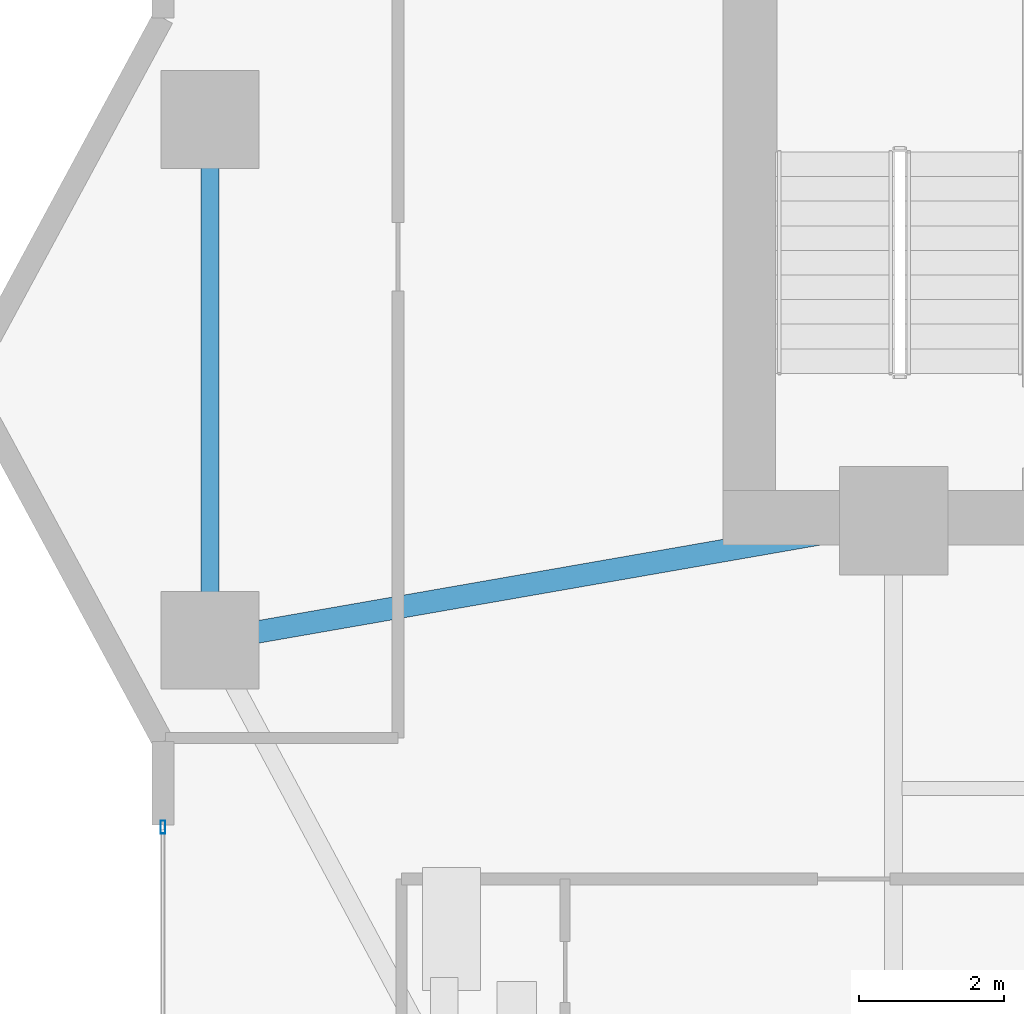
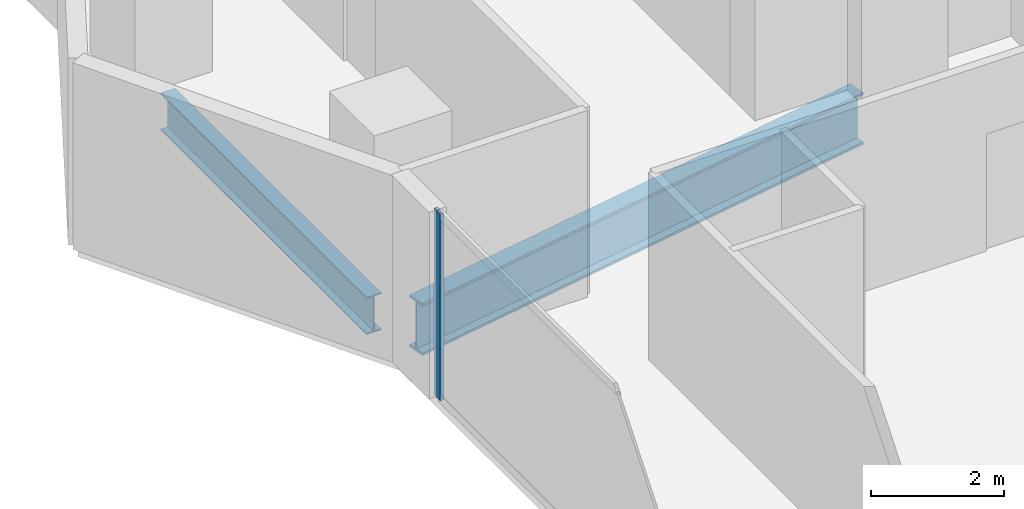
# One storey, part 7 of 28: 2 beams, 1 member, 1 element without a shape of its own.
"""IFC4 building model written with IfcOpenShell, lengths in metres."""

from ifc_helpers import new_model, si_unit, direction, frame, origin, origin_2d, place, context, subcontext, project, spatial, hollow_rectangle, i_section, extrude, material, layer, layer_set, material_profile, profile_set, type_object, element, aggregate, save


model = new_model("IFC4")

# Units and contexts
model_context = context("Model", 3, precision=1e-05, world=origin(), true_north=direction((0.0, 1.0)))
body_context = subcontext(model_context, "Body", "Model", "MODEL_VIEW")
ifc_project = project(units=[si_unit("LENGTHUNIT", "METRE"), si_unit("AREAUNIT", "SQUARE_METRE"), si_unit("VOLUMEUNIT", "CUBIC_METRE"), si_unit("PLANEANGLEUNIT", "RADIAN"), si_unit("MASSUNIT", "GRAM", prefix="KILO")], contexts=[model_context])

# Site, building, storey
site_placement = place(None, origin())
site = spatial("IfcSite", under=ifc_project, at=site_placement, CompositionType="ELEMENT")
building_placement = place(site_placement, origin())
building = spatial("IfcBuilding", under=site, at=building_placement, Name="Zuhayl Quay Hotel", CompositionType="ELEMENT")
storey_placement = place(building_placement, frame((0.0, 0.0, 139.449951171875)))
storey = spatial("IfcBuildingStorey", under=building, at=storey_placement, Name="L35", CompositionType="ELEMENT", Elevation=139.449951171875)

# Beams
ifc_material_1 = material(Name="Steel ASTM A992 Grade 50", Category="steel")
ifc_material_profile_1 = material_profile(ifc_material_1, i_section(OverallWidth=0.25390625, OverallDepth=0.68310546875, WebThickness=0.012451171875, FlangeThickness=0.018798828125, at=origin_2d()), Name="W27X94")
ifc_profile_set_1 = profile_set([ifc_material_profile_1], Name="Steel ASTM A992 Grade 50")
beam_type_1 = type_object("IfcBeamType", Name="BM_B2_W27X94", PredefinedType="BEAM", material=ifc_profile_set_1)
beam_1_placement = place(storey_placement, frame((-23.25, 9.60009765625, -0.5615234375), z_axis=(0.0, -1.0, 0.0), x_axis=(1.0, 0.0, 0.0)))
element("IfcBeam", 1, at=beam_1_placement, inside=storey, type_object=beam_type_1, Name="L35 Floor Beam RG_L35_11", PredefinedType="BEAM", context=body_context, shape_type="SweptSolid", body=[
    extrude(i_section(OverallWidth=0.25390625, OverallDepth=0.68310546875, WebThickness=0.012451171875, FlangeThickness=0.018798828125, at=origin_2d()), origin(), (0.0, 0.0, 1.0), 6.2001953125),
])
ifc_material_profile_2 = material_profile(ifc_material_1, i_section(OverallWidth=0.31005859375, OverallDepth=0.949951171875, WebThickness=0.0244140625, FlangeThickness=0.0439453125, at=origin_2d()), Name="W36X256")
ifc_profile_set_2 = profile_set([ifc_material_profile_2], Name="Steel ASTM A992 Grade 50")
beam_type_2 = type_object("IfcBeamType", Name="BM_PG1_W36X256", PredefinedType="BEAM", material=ifc_profile_set_2)
beam_2_placement = place(storey_placement, frame((-22.757568359375, 2.986083984375, -0.695068359375), z_axis=(0.985097302632, 0.171997977741, 0.0), x_axis=(-0.171997977741, 0.985097302632, 0.0)))
element("IfcBeam", 2, at=beam_2_placement, inside=storey, type_object=beam_type_2, Name="L35 Floor Beam FG_W_L35_1", PredefinedType="BEAM", context=body_context, shape_type="SweptSolid", body=[
    extrude(i_section(OverallWidth=0.31005859375, OverallDepth=0.949951171875, WebThickness=0.0244140625, FlangeThickness=0.0439453125, at=origin_2d()), origin(), (0.0, 0.0, 1.0), 8.64306640625),
])

# Curtain wall, member
ifc_material_2 = material(Name="Anodised Aluminium 6063-T6", Category="aluminium")
ifc_layer = layer(ifc_material_2, 0.179931640625, Name="Anodised Aluminium 6063-T6", Category="aluminium")
ifc_layer_set = layer_set([ifc_layer], Name="Anodised Aluminium 6063-T6")
curtain_wall_type = type_object("IfcCurtainWallType", Name="CW_SYS_Z2", PredefinedType="USERDEFINED", material=ifc_layer_set)
curtain_wall_placement = place(storey_placement, origin())
curtain_wall = element("IfcCurtainWall", 3, at=curtain_wall_placement, inside=storey, type_object=curtain_wall_type, Name="L35 Curtain Wall ENV_L35_E02_CW1", ObjectType="UNITISED CURTAIN WALL", PredefinedType="USERDEFINED")
ifc_material_3 = material(Name="Black-anodised aluminium 6063-T6", Category="aluminium")
ifc_material_profile_3 = material_profile(ifc_material_3, hollow_rectangle(XDim=0.06494140625, YDim=0.179931640625, WallThickness=0.00341796875, at=origin_2d()), Name="ALU180X65")
ifc_profile_set_3 = profile_set([ifc_material_profile_3], Name="Black-anodised aluminium 6063-T6")
member_type = type_object("IfcMemberType", Name="MB_CW_MUL_180", PredefinedType="MULLION", material=ifc_profile_set_3)
member_placement = place(storey_placement, frame((-23.89990234375, 0.3173828125, 0.0), z_axis=(0.0, 0.0, 1.0), x_axis=(-1.0, 0.0, 0.0)))
member = element("IfcMember", 4, at=member_placement, type_object=member_type, Name="CW-Z2 mullion 2", PredefinedType="MULLION", context=body_context, shape_type="SweptSolid", body=[
    extrude(hollow_rectangle(XDim=0.06494140625, YDim=0.179931640625, WallThickness=0.00341796875, at=origin_2d()), origin(), (0.0, 0.0, 1.0), 3.429931640625),
])
aggregate(curtain_wall, [member])

save(model, "model.ifc")
